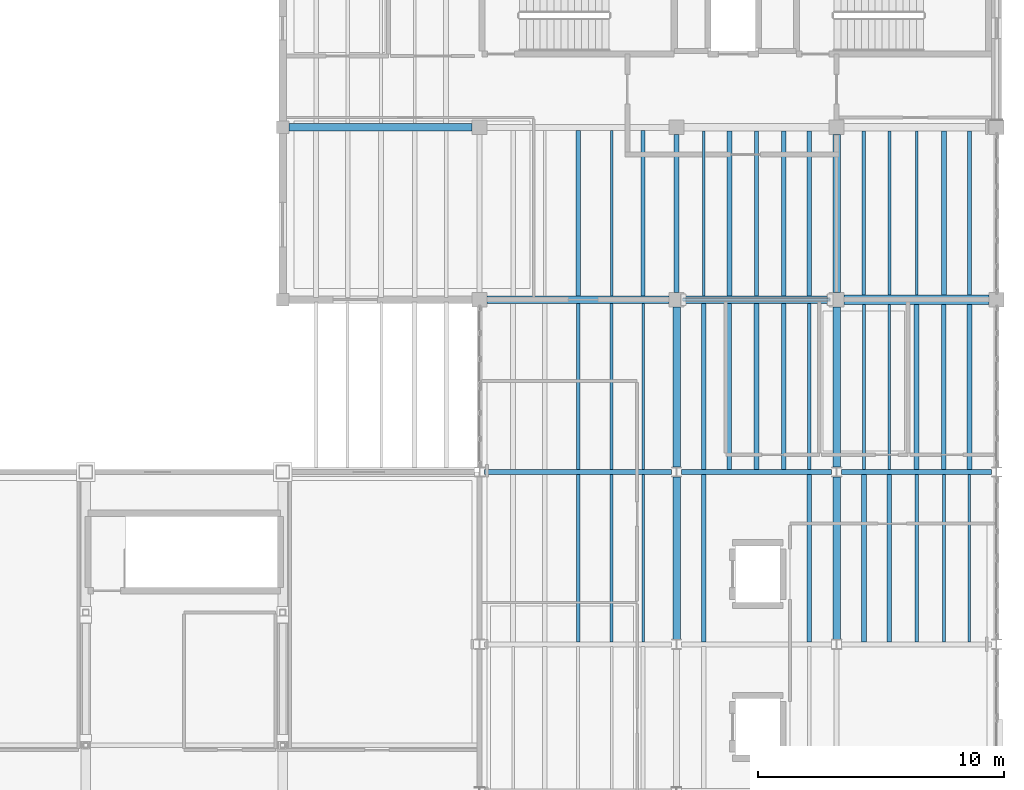
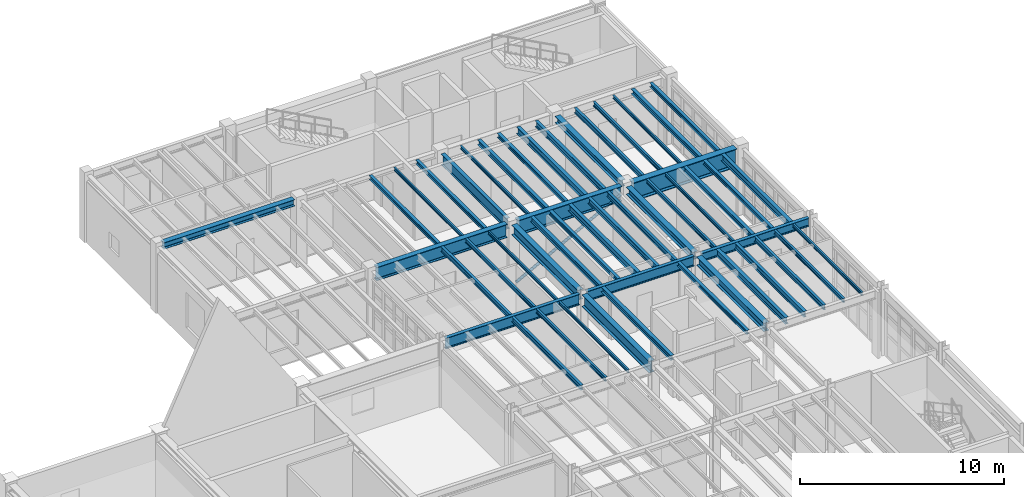
# One storey, part 43 of 78: 49 beams, 1 member.
"""IFC4 building model written with IfcOpenShell, lengths in metres."""

import ifcopenshell
import ifcopenshell.guid

model = None  # the IFC model being written
_history = None  # IfcOwnerHistory: only IFC2X3 demands one
_inside = {}  # id of a spatial element -> (the spatial element, [elements in it])
_under = {}  # id of a project, library or spatial element -> (it, [spatial elements below it])
_declared = {}  # id of a project -> (the project, [libraries it declares])
_typed = {}  # id of a type object -> (the type object, [elements of that type])
_made_of = {}  # id of a material, layer set ... -> (it, [elements and type objects made of it])


def new_model(schema):
    """Start an empty IFC model of exactly this schema.

    Asked for "IFC4X3", IfcOpenShell would pick the latest addendum, in which some entities
    have other attributes; the version numbers below select the first issue.
    IFC2X3 requires an IfcOwnerHistory on every rooted entity: one is made here for all.
    """
    global model, _history
    if schema == "IFC4X3":
        model = ifcopenshell.file(schema_version=(4, 3, 0, 0))
    else:
        model = ifcopenshell.file(schema=schema)
    _inside.clear()
    _under.clear()
    _declared.clear()
    _typed.clear()
    _made_of.clear()
    _history = None
    if model.schema == "IFC2X3":
        org = make("IfcOrganization", Name="unknown")
        user = make(
            "IfcPersonAndOrganization",
            ThePerson=make("IfcPerson", FamilyName="unknown"),
            TheOrganization=org,
        )
        app = make(
            "IfcApplication",
            ApplicationDeveloper=org,
            Version="unknown",
            ApplicationFullName="unknown",
            ApplicationIdentifier="unknown",
        )
        _history = make(
            "IfcOwnerHistory",
            OwningUser=user,
            OwningApplication=app,
            ChangeAction="ADDED",
            CreationDate=0,
        )
    return model


def make(cls, **values):
    """One entity of the class cls with the attributes given. An attribute that is None is left unset."""
    return model.create_entity(
        cls, **{name: value for name, value in values.items() if value is not None}
    )


def rooted(cls, **values):
    """An entity with a GlobalId (a new one), such as an element, a storey or a relation."""
    return make(cls, GlobalId=ifcopenshell.guid.new(), OwnerHistory=_history, **values)


def si_unit(unit_type, name, prefix=None):
    """IfcSIUnit, for example si_unit("LENGTHUNIT", "METRE", prefix="MILLI")."""
    return make("IfcSIUnit", UnitType=unit_type, Prefix=prefix, Name=name)


def assignment(units):
    """IfcUnitAssignment: the units of a project."""
    return None if units is None else make("IfcUnitAssignment", Units=units)


def point(xyz):
    """IfcCartesianPoint."""
    return None if xyz is None else make("IfcCartesianPoint", Coordinates=xyz)


def direction(xyz):
    """IfcDirection."""
    return None if xyz is None else make("IfcDirection", DirectionRatios=xyz)


def frame(location, z_axis=None, x_axis=None):
    """IfcAxis2Placement3D, a coordinate frame: its origin and axes. An axis left out is left unset."""
    return make(
        "IfcAxis2Placement3D",
        Location=point(location),
        Axis=direction(z_axis),
        RefDirection=direction(x_axis),
    )


def frame_2d(location, x_axis=None):
    """IfcAxis2Placement2D, a coordinate frame in the plane: its origin and x axis."""
    return make(
        "IfcAxis2Placement2D", Location=point(location), RefDirection=direction(x_axis)
    )


def origin():
    """The frame at (0, 0, 0) with its axes left unset."""
    return frame((0.0, 0.0, 0.0))


def origin_2d():
    """The frame at (0, 0) in the plane with its x axis left unset."""
    return frame_2d((0.0, 0.0))


def place(relative_to, where):
    """IfcLocalPlacement: puts the frame where relative to a parent placement (None: the world)."""
    return make(
        "IfcLocalPlacement", PlacementRelTo=relative_to, RelativePlacement=where
    )


def context(
    kind, dimensions, precision=None, world=None, true_north=None, identifier=None
):
    """IfcGeometricRepresentationContext, for example the 3D "Model" context."""
    return make(
        "IfcGeometricRepresentationContext",
        ContextIdentifier=identifier,
        ContextType=kind,
        CoordinateSpaceDimension=dimensions,
        Precision=precision,
        WorldCoordinateSystem=world,
        TrueNorth=true_north,
    )


def subcontext(parent, identifier, kind, view, scale=None):
    """IfcGeometricRepresentationSubContext, for example "Body" below "Model"."""
    return make(
        "IfcGeometricRepresentationSubContext",
        ContextIdentifier=identifier,
        ContextType=kind,
        ParentContext=parent,
        TargetScale=scale,
        TargetView=view,
    )


def project(units=None, contexts=None):
    """IfcProject with its units and contexts."""
    return rooted(
        "IfcProject",
        Name="project",
        RepresentationContexts=contexts,
        UnitsInContext=assignment(units),
    )


def spatial(cls, under=None, at=None, **own):
    """A site, building, storey or space (cls), placed at a placement, below another one or the project."""
    s = rooted(cls, ObjectPlacement=at, **own)
    if under is not None:
        _under.setdefault(under.id(), (under, []))[1].append(s)
    return s


def profile(cls, at=None, kind="AREA", **sizes):
    """A parametric profile (cls). Its sizes go by their IFC names, for example OverallWidth=200.0."""
    return make(cls, ProfileType=kind, Position=at, **sizes)


def hollow_circle(**sizes):
    """IfcCircleHollowProfileDef."""
    return profile("IfcCircleHollowProfileDef", **sizes)


def i_section(**sizes):
    """IfcIShapeProfileDef."""
    return profile("IfcIShapeProfileDef", **sizes)


def extrude(swept, where, along, depth):
    """IfcExtrudedAreaSolid: the profile swept, set in the frame where, extruded along a direction by depth."""
    return make(
        "IfcExtrudedAreaSolid",
        SweptArea=swept,
        Position=where,
        ExtrudedDirection=direction(along),
        Depth=depth,
    )


def shape(context_of_items, identifier, shape_type, items):
    """IfcShapeRepresentation: the items that make up one representation, for example the "Body"."""
    return make(
        "IfcShapeRepresentation",
        ContextOfItems=context_of_items,
        RepresentationIdentifier=identifier,
        RepresentationType=shape_type,
        Items=items,
    )


def material(Name=None, Category=None):
    """IfcMaterial."""
    return make("IfcMaterial", Name=Name, Category=Category)


def material_profile(
    of_material, cross_section, Name=None, Category=None, Priority=None
):
    """IfcMaterialProfile: a cross section and its material."""
    return make(
        "IfcMaterialProfile",
        Name=Name,
        Material=of_material,
        Profile=cross_section,
        Priority=Priority,
        Category=Category,
    )


def profile_set(profiles, Name=None, composite=None):
    """IfcMaterialProfileSet."""
    return make(
        "IfcMaterialProfileSet",
        Name=Name,
        MaterialProfiles=profiles,
        CompositeProfile=composite,
    )


def made_of(thing, what):
    """Note that an element or type object is made of a material, layer set ...; save() writes the relation."""
    if what is not None:
        _made_of.setdefault(what.id(), (what, []))[1].append(thing)
    return thing


def type_object(cls, material=None, **own):
    """A type object (cls), such as IfcWallType, which elements share."""
    return made_of(rooted(cls, **own), material)


def element(
    cls,
    number,
    at=None,
    inside=None,
    cuts=None,
    type_object=None,
    material=None,
    context=None,
    identifier="Body",
    shape_type=None,
    held_by="IfcProductDefinitionShape",
    body=None,
    shapes=None,
    **own,
):
    """One element of the class cls, such as IfcWall. Its Tag is "e" and its number.

    at: its placement. inside: the storey or other place that contains it. cuts: it is an
    opening in that element (IfcRelVoidsElement). A single representation is given by context,
    identifier, shape_type and body (its items); several are given by shapes. held_by: the class
    of the entity that holds the representations. save() writes the other relations.
    """
    e = rooted(cls, Tag="e%d" % number, ObjectPlacement=at, **own)
    if body is not None:
        shapes = [shape(context, identifier, shape_type, body)]
    if shapes is not None:
        e.Representation = make(held_by, Representations=shapes)
    if inside is not None:
        _inside.setdefault(inside.id(), (inside, []))[1].append(e)
    if cuts is not None:
        rooted(
            "IfcRelVoidsElement", RelatingBuildingElement=cuts, RelatedOpeningElement=e
        )
    if type_object is not None:
        _typed.setdefault(type_object.id(), (type_object, []))[1].append(e)
    return made_of(e, material)


def aggregate(whole, parts):
    """IfcRelAggregates: a whole, such as a stair, and the parts it consists of."""
    return rooted("IfcRelAggregates", RelatingObject=whole, RelatedObjects=parts)


def save(model, path):
    """Write the relations noted so far, then the file.

    IfcRelAggregates (storeys below a building ...), IfcRelContainedInSpatialStructure (elements
    in a storey), IfcRelDefinesByType, IfcRelAssociatesMaterial and IfcRelDeclares: one each for
    every whole, place, type object, material and project.
    """
    for whole, parts in _under.values():
        aggregate(whole, parts)
    for where, things in _inside.values():
        rooted(
            "IfcRelContainedInSpatialStructure",
            RelatedElements=things,
            RelatingStructure=where,
        )
    for kind, things in _typed.values():
        rooted("IfcRelDefinesByType", RelatedObjects=things, RelatingType=kind)
    for what, things in _made_of.values():
        rooted("IfcRelAssociatesMaterial", RelatedObjects=things, RelatingMaterial=what)
    for by, libraries in _declared.values():
        rooted("IfcRelDeclares", RelatingContext=by, RelatedDefinitions=libraries)
    model.write(path)


model = new_model("IFC4")

# Units and contexts
model_context = context("Model", 3, precision=1e-05, world=origin(), true_north=direction((0.0, 1.0)))
body_context = subcontext(model_context, "Body", "Model", "MODEL_VIEW")
ifc_project = project(units=[si_unit("LENGTHUNIT", "METRE"), si_unit("AREAUNIT", "SQUARE_METRE"), si_unit("VOLUMEUNIT", "CUBIC_METRE"), si_unit("PLANEANGLEUNIT", "RADIAN"), si_unit("MASSUNIT", "GRAM", prefix="KILO"), si_unit("THERMODYNAMICTEMPERATUREUNIT", "KELVIN"), si_unit("POWERUNIT", "WATT")], contexts=[model_context])

# Site, building, storey
site_placement = place(None, origin())
site = spatial("IfcSite", under=ifc_project, at=site_placement, CompositionType="ELEMENT")
building_placement = place(site_placement, origin())
building = spatial("IfcBuilding", under=site, at=building_placement, Name="Zhenchuan Central Fire Station", CompositionType="ELEMENT")
storey_placement = place(building_placement, frame((0.0, 0.0, 5.85009765625)))
storey = spatial("IfcBuildingStorey", under=building, at=storey_placement, Name="L02", CompositionType="ELEMENT", Elevation=5.85009765625)

# Beams
ifc_material = material(Name="Steel Q355B", Category="steel")
ifc_material_profile_1 = material_profile(ifc_material, i_section(OverallWidth=0.300048828125, OverallDepth=0.389892578125, WebThickness=0.010009765625, FlangeThickness=0.01611328125, FilletRadius=0.02001953125, at=origin_2d()), Name="HM 390x300")
ifc_profile_set_1 = profile_set([ifc_material_profile_1], Name="Steel Q355B")
beam_type_1 = type_object("IfcBeamType", Name="BM-HM390-INT", PredefinedType="BEAM", material=ifc_profile_set_1)
beam_1_placement = place(storey_placement, frame((132.25, 49.5, 3.804931640625), z_axis=(1.0, 0.0, 0.0), x_axis=(0.0, 1.0, 0.0)))
element("IfcBeam", 1, at=beam_1_placement, inside=storey, type_object=beam_type_1, Name="L03 Girder EW 0260", PredefinedType="BEAM", context=body_context, shape_type="SweptSolid", body=[
    extrude(i_section(OverallWidth=0.300048828125, OverallDepth=0.389892578125, WebThickness=0.010009765625, FlangeThickness=0.01611328125, FilletRadius=0.02001953125, at=origin_2d()), origin(), (0.0, 0.0, 1.0), 7.449951171875),
])
beam_2_placement = place(storey_placement, frame((154.5, 42.800048828125, 3.764892578125), z_axis=(0.0, 1.0, 0.0), x_axis=(-1.0, 0.0, 0.0)))
element("IfcBeam", 2, at=beam_2_placement, inside=storey, type_object=beam_type_1, Name="L03 Girder NS 0338", PredefinedType="BEAM", context=body_context, shape_type="SweptSolid", body=[
    extrude(i_section(OverallWidth=0.300048828125, OverallDepth=0.389892578125, WebThickness=0.010009765625, FlangeThickness=0.01611328125, FilletRadius=0.02001953125, at=origin_2d()), origin(), (0.0, 0.0, 1.0), 6.39990234375),
])
ifc_material_profile_2 = material_profile(ifc_material, i_section(OverallWidth=0.300048828125, OverallDepth=0.43994140625, WebThickness=0.010986328125, FlangeThickness=0.01806640625, FilletRadius=0.02197265625, at=origin_2d()), Name="HM 440x300")
ifc_profile_set_2 = profile_set([ifc_material_profile_2], Name="Steel Q355B")
beam_type_2 = type_object("IfcBeamType", Name="BM-HM440-INT", PredefinedType="BEAM", material=ifc_profile_set_2)
beam_3_placement = place(storey_placement, frame((154.5, 35.699951171875, 3.739990234375), z_axis=(0.0, 1.0, 0.0), x_axis=(-1.0, 0.0, 0.0)))
element("IfcBeam", 3, at=beam_3_placement, inside=storey, type_object=beam_type_2, Name="L03 Girder NS 0337", PredefinedType="BEAM", context=body_context, shape_type="SweptSolid", body=[
    extrude(i_section(OverallWidth=0.300048828125, OverallDepth=0.43994140625, WebThickness=0.010986328125, FlangeThickness=0.01806640625, FilletRadius=0.02197265625, at=origin_2d()), origin(), (0.0, 0.0, 1.0), 6.5),
])
ifc_material_profile_3 = material_profile(ifc_material, i_section(OverallWidth=0.300048828125, OverallDepth=0.5, WebThickness=0.010986328125, FlangeThickness=0.01806640625, FilletRadius=0.02197265625, at=origin_2d()), Name="HM 500x300")
ifc_profile_set_3 = profile_set([ifc_material_profile_3], Name="Steel Q355B")
beam_type_3 = type_object("IfcBeamType", Name="BM-HM500-INT", PredefinedType="BEAM", material=ifc_profile_set_3)
beam_4_placement = place(storey_placement, frame((154.5, 28.699951171875, 3.7099609375), z_axis=(0.0, 1.0, 0.0), x_axis=(-1.0, 0.0, 0.0)))
element("IfcBeam", 4, at=beam_4_placement, inside=storey, type_object=beam_type_3, Name="L03 Girder NS 0336", PredefinedType="BEAM", context=body_context, shape_type="SweptSolid", body=[
    extrude(i_section(OverallWidth=0.300048828125, OverallDepth=0.5, WebThickness=0.010986328125, FlangeThickness=0.01806640625, FilletRadius=0.02197265625, at=origin_2d()), origin(), (0.0, 0.0, 1.0), 6.60009765625),
])
ifc_material_profile_4 = material_profile(ifc_material, i_section(OverallWidth=0.300048828125, OverallDepth=0.587890625, WebThickness=0.011962890625, FlangeThickness=0.02001953125, FilletRadius=0.02392578125, at=origin_2d()), Name="HM 588x300")
ifc_profile_set_4 = profile_set([ifc_material_profile_4], Name="Steel Q355B")
beam_type_4 = type_object("IfcBeamType", Name="BM-HM588", PredefinedType="BEAM", material=ifc_profile_set_4)
beam_5_placement = place(storey_placement, frame((148.0, 35.699951171875, 3.666015625), z_axis=(0.0, 1.0, 0.0), x_axis=(-1.0, 0.0, 0.0)))
element("IfcBeam", 5, at=beam_5_placement, inside=storey, type_object=beam_type_4, Name="L03 Girder NS 0330", PredefinedType="BEAM", context=body_context, shape_type="SweptSolid", body=[
    extrude(i_section(OverallWidth=0.300048828125, OverallDepth=0.587890625, WebThickness=0.011962890625, FlangeThickness=0.02001953125, FilletRadius=0.02392578125, at=origin_2d()), origin(), (0.0, 0.0, 1.0), 6.5),
])
ifc_material_profile_5 = material_profile(ifc_material, i_section(OverallWidth=0.199951171875, OverallDepth=0.60009765625, WebThickness=0.010986328125, FlangeThickness=0.01708984375, FilletRadius=0.02197265625, at=origin_2d()), Name="HN 600x200")
ifc_profile_set_5 = profile_set([ifc_material_profile_5], Name="Steel Q355B")
beam_type_5 = type_object("IfcBeamType", Name="BM-HN600-INT", PredefinedType="BEAM", material=ifc_profile_set_5)
beam_6_placement = place(storey_placement, frame((148.199951171875, 35.5, 3.659912109375), z_axis=(1.0, 0.0, 0.0), x_axis=(0.0, 1.0, 0.0)))
element("IfcBeam", 6, at=beam_6_placement, inside=storey, type_object=beam_type_5, Name="L03 Girder EW 0240", PredefinedType="BEAM", context=body_context, shape_type="SweptSolid", body=[
    extrude(i_section(OverallWidth=0.199951171875, OverallDepth=0.60009765625, WebThickness=0.010986328125, FlangeThickness=0.01708984375, FilletRadius=0.02197265625, at=origin_2d()), origin(), (0.0, 0.0, 1.0), 6.10009765625),
])
ifc_material_profile_6 = material_profile(ifc_material, i_section(OverallWidth=0.199951171875, OverallDepth=0.64990234375, WebThickness=0.011962890625, FlangeThickness=0.02001953125, FilletRadius=0.02197265625, at=origin_2d()), Name="HN 650x200")
ifc_profile_set_6 = profile_set([ifc_material_profile_6], Name="Steel Q355B")
beam_type_6 = type_object("IfcBeamType", Name="BM-HN650", PredefinedType="BEAM", material=ifc_profile_set_6)
beam_7_placement = place(storey_placement, frame((140.199951171875, 35.5, 3.635009765625), z_axis=(1.0, 0.0, 0.0), x_axis=(0.0, 1.0, 0.0)))
element("IfcBeam", 7, at=beam_7_placement, inside=storey, type_object=beam_type_6, Name="L03 Girder EW 0239", PredefinedType="BEAM", context=body_context, shape_type="SweptSolid", body=[
    extrude(i_section(OverallWidth=0.199951171875, OverallDepth=0.64990234375, WebThickness=0.011962890625, FlangeThickness=0.02001953125, FilletRadius=0.02197265625, at=origin_2d()), origin(), (0.0, 0.0, 1.0), 7.60009765625),
])
beam_8_placement = place(storey_placement, frame((148.0, 42.800048828125, 3.635009765625), z_axis=(0.0, 1.0, 0.0), x_axis=(-1.0, 0.0, 0.0)))
element("IfcBeam", 8, at=beam_8_placement, inside=storey, type_object=beam_type_6, Name="L03 Girder NS 0331", PredefinedType="BEAM", context=body_context, shape_type="SweptSolid", body=[
    extrude(i_section(OverallWidth=0.199951171875, OverallDepth=0.64990234375, WebThickness=0.011962890625, FlangeThickness=0.02001953125, FilletRadius=0.02197265625, at=origin_2d()), origin(), (0.0, 0.0, 1.0), 6.39990234375),
])
ifc_material_profile_7 = material_profile(ifc_material, i_section(OverallWidth=0.300048828125, OverallDepth=0.699951171875, WebThickness=0.012939453125, FlangeThickness=0.02392578125, FilletRadius=0.02392578125, at=origin_2d()), Name="HN 700x300")
ifc_profile_set_7 = profile_set([ifc_material_profile_7], Name="Steel Q355B")
beam_type_7 = type_object("IfcBeamType", Name="BM-HN700", PredefinedType="BEAM", material=ifc_profile_set_7)
beam_9_placement = place(storey_placement, frame((148.0, 28.699951171875, 3.60986328125), z_axis=(0.0, 1.0, 0.0), x_axis=(-1.0, 0.0, 0.0)))
element("IfcBeam", 9, at=beam_9_placement, inside=storey, type_object=beam_type_7, Name="L03 Girder NS 0329", PredefinedType="BEAM", context=body_context, shape_type="SweptSolid", body=[
    extrude(i_section(OverallWidth=0.300048828125, OverallDepth=0.699951171875, WebThickness=0.012939453125, FlangeThickness=0.02392578125, FilletRadius=0.02392578125, at=origin_2d()), origin(), (0.0, 0.0, 1.0), 6.60009765625),
])
ifc_material_profile_8 = material_profile(ifc_material, i_section(OverallWidth=0.300048828125, OverallDepth=0.800048828125, WebThickness=0.013916015625, FlangeThickness=0.02587890625, FilletRadius=0.02587890625, at=origin_2d()), Name="HN 800x300")
ifc_profile_set_8 = profile_set([ifc_material_profile_8], Name="Steel Q355B")
beam_type_8 = type_object("IfcBeamType", Name="BM-HN800", PredefinedType="BEAM", material=ifc_profile_set_8)
beam_10_placement = place(storey_placement, frame((140.300048828125, 42.5, 3.559814453125), z_axis=(1.0, 0.0, 0.0), x_axis=(0.0, 1.0, 0.0)))
element("IfcBeam", 10, at=beam_10_placement, inside=storey, type_object=beam_type_8, Name="L03 Girder EW 0250", PredefinedType="BEAM", context=body_context, shape_type="SweptSolid", body=[
    extrude(i_section(OverallWidth=0.300048828125, OverallDepth=0.800048828125, WebThickness=0.013916015625, FlangeThickness=0.02587890625, FilletRadius=0.02587890625, at=origin_2d()), origin(), (0.0, 0.0, 1.0), 7.39990234375),
])
ifc_material_profile_9 = material_profile(ifc_material, i_section(OverallWidth=0.300048828125, OverallDepth=0.89990234375, WebThickness=0.01611328125, FlangeThickness=0.028076171875, FilletRadius=0.02587890625, at=origin_2d()), Name="HN 900x300")
ifc_profile_set_9 = profile_set([ifc_material_profile_9], Name="Steel Q355B")
beam_type_9 = type_object("IfcBeamType", Name="BM-HN900", PredefinedType="BEAM", material=ifc_profile_set_9)
beam_11_placement = place(storey_placement, frame((148.300048828125, 42.5, 3.510009765625), z_axis=(1.0, 0.0, 0.0), x_axis=(0.0, 1.0, 0.0)))
element("IfcBeam", 11, at=beam_11_placement, inside=storey, type_object=beam_type_9, Name="L03 Girder EW 0251", PredefinedType="BEAM", context=body_context, shape_type="SweptSolid", body=[
    extrude(i_section(OverallWidth=0.300048828125, OverallDepth=0.89990234375, WebThickness=0.01611328125, FlangeThickness=0.028076171875, FilletRadius=0.02587890625, at=origin_2d()), origin(), (0.0, 0.0, 1.0), 5.89990234375),
])
ifc_material_profile_10 = material_profile(ifc_material, i_section(OverallWidth=0.3798828125, OverallDepth=1.10009765625, WebThickness=0.02001953125, FlangeThickness=0.035888671875, FilletRadius=0.02392578125, at=origin_2d()), Name="PG 1100x380")
ifc_profile_set_10 = profile_set([ifc_material_profile_10], Name="Steel Q355B")
beam_type_10 = type_object("IfcBeamType", Name="BM-PG1100", PredefinedType="BEAM", material=ifc_profile_set_10)
beam_12_placement = place(storey_placement, frame((154.800048828125, 42.5, 3.409912109375), z_axis=(1.0, 0.0, 0.0), x_axis=(0.0, 1.0, 0.0)))
element("IfcBeam", 12, at=beam_12_placement, inside=storey, type_object=beam_type_10, Name="L03 Girder EW 0252", PredefinedType="BEAM", context=body_context, shape_type="SweptSolid", body=[
    extrude(i_section(OverallWidth=0.3798828125, OverallDepth=1.10009765625, WebThickness=0.02001953125, FlangeThickness=0.035888671875, FilletRadius=0.02392578125, at=origin_2d()), origin(), (0.0, 0.0, 1.0), 5.89990234375),
])
ifc_material_profile_11 = material_profile(ifc_material, i_section(OverallWidth=0.175048828125, OverallDepth=0.243896484375, WebThickness=0.007080078125, FlangeThickness=0.010986328125, FilletRadius=0.012939453125, at=origin_2d()), Name="HM 244x175")
ifc_profile_set_11 = profile_set([ifc_material_profile_11], Name="Steel Q355B")
beam_type_11 = type_object("IfcBeamType", Name="JS-HM244", PredefinedType="JOIST", material=ifc_profile_set_11)
beam_13_placement = place(storey_placement, frame((153.39501953125, 28.596923828125, 3.837890625), z_axis=(0.0, 1.0, 0.0), x_axis=(-1.0, 0.0, 0.0)))
element("IfcBeam", 13, at=beam_13_placement, inside=storey, type_object=beam_type_11, Name="L03 Secondary Joist 0448", PredefinedType="JOIST", context=body_context, shape_type="SweptSolid", body=[
    extrude(i_section(OverallWidth=0.175048828125, OverallDepth=0.243896484375, WebThickness=0.007080078125, FlangeThickness=0.010986328125, FilletRadius=0.012939453125, at=origin_2d()), origin(), (0.0, 0.0, 1.0), 6.80615234375),
])
beam_14_placement = place(storey_placement, frame((150.14501953125, 35.596923828125, 3.837890625), z_axis=(0.0, 1.0, 0.0), x_axis=(-1.0, 0.0, 0.0)))
element("IfcBeam", 14, at=beam_14_placement, inside=storey, type_object=beam_type_11, Name="L03 Secondary Joist 0483", PredefinedType="JOIST", context=body_context, shape_type="SweptSolid", body=[
    extrude(i_section(OverallWidth=0.175048828125, OverallDepth=0.243896484375, WebThickness=0.007080078125, FlangeThickness=0.010986328125, FilletRadius=0.012939453125, at=origin_2d()), origin(), (0.0, 0.0, 1.0), 6.756103515625),
])
beam_15_placement = place(storey_placement, frame((158.85498046875, 35.596923828125, 3.837890625), z_axis=(0.0, 1.0, 0.0), x_axis=(-1.0, 0.0, 0.0)))
element("IfcBeam", 15, at=beam_15_placement, inside=storey, type_object=beam_type_11, Name="L03 Secondary Joist 0490", PredefinedType="JOIST", context=body_context, shape_type="SweptSolid", body=[
    extrude(i_section(OverallWidth=0.175048828125, OverallDepth=0.243896484375, WebThickness=0.007080078125, FlangeThickness=0.010986328125, FilletRadius=0.012939453125, at=origin_2d()), origin(), (0.0, 0.0, 1.0), 6.716064453125),
])
for number, where, z_axis, x_axis, name in (
    (16, (144.0, 42.64697265625, 3.837890625), (0.0, 1.0, 0.0), (-1.0, 0.0, 0.0), "L03 Secondary Joist 0534"),
    (17, (146.639892578125, 42.64697265625, 3.837890625), (0.0, 1.0, 0.0), (-1.0, 0.0, 0.0), "L03 Secondary Joist 0536"),
):
    element("IfcBeam", number, at=place(storey_placement, frame(where, z_axis=z_axis, x_axis=x_axis)), inside=storey, type_object=beam_type_11, Name=name, PredefinedType="JOIST", context=body_context, shape_type="SweptSolid", body=[
        extrude(i_section(OverallWidth=0.175048828125, OverallDepth=0.243896484375, WebThickness=0.007080078125, FlangeThickness=0.010986328125, FilletRadius=0.012939453125, at=origin_2d()), origin(), (0.0, 0.0, 1.0), 6.73095703125),
    ])
beam_16_placement = place(storey_placement, frame((151.25, 42.64697265625, 3.837890625), z_axis=(0.0, 1.0, 0.0), x_axis=(-1.0, 0.0, 0.0)))
element("IfcBeam", 18, at=beam_16_placement, inside=storey, type_object=beam_type_11, Name="L03 Secondary Joist 0539", PredefinedType="JOIST", context=body_context, shape_type="SweptSolid", body=[
    extrude(i_section(OverallWidth=0.175048828125, OverallDepth=0.243896484375, WebThickness=0.007080078125, FlangeThickness=0.010986328125, FilletRadius=0.012939453125, at=origin_2d()), origin(), (0.0, 0.0, 1.0), 6.7060546875),
])
beam_17_placement = place(storey_placement, frame((159.89501953125, 42.68701171875, 3.837890625), z_axis=(0.0, 1.0, 0.0), x_axis=(-1.0, 0.0, 0.0)))
element("IfcBeam", 19, at=beam_17_placement, inside=storey, type_object=beam_type_11, Name="L03 Secondary Joist 0546", PredefinedType="JOIST", context=body_context, shape_type="SweptSolid", body=[
    extrude(i_section(OverallWidth=0.175048828125, OverallDepth=0.243896484375, WebThickness=0.007080078125, FlangeThickness=0.010986328125, FilletRadius=0.012939453125, at=origin_2d()), origin(), (0.0, 0.0, 1.0), 6.666015625),
])
ifc_material_profile_12 = material_profile(ifc_material, i_section(OverallWidth=0.199951171875, OverallDepth=0.2939453125, WebThickness=0.008056640625, FlangeThickness=0.011962890625, FilletRadius=0.01611328125, at=origin_2d()), Name="HM 294x200")
ifc_profile_set_12 = profile_set([ifc_material_profile_12], Name="Steel Q355B")
beam_type_12 = type_object("IfcBeamType", Name="JS-HM294", PredefinedType="JOIST", material=ifc_profile_set_12)
beam_18_placement = place(storey_placement, frame((149.10498046875, 28.596923828125, 3.81298828125), z_axis=(0.0, 1.0, 0.0), x_axis=(-1.0, 0.0, 0.0)))
element("IfcBeam", 20, at=beam_18_placement, inside=storey, type_object=beam_type_12, Name="L03 Secondary Joist 0447", PredefinedType="JOIST", context=body_context, shape_type="SweptSolid", body=[
    extrude(i_section(OverallWidth=0.199951171875, OverallDepth=0.2939453125, WebThickness=0.008056640625, FlangeThickness=0.011962890625, FilletRadius=0.01611328125, at=origin_2d()), origin(), (0.0, 0.0, 1.0), 6.80615234375),
])
beam_19_placement = place(storey_placement, frame((149.10498046875, 35.596923828125, 3.81298828125), z_axis=(0.0, 1.0, 0.0), x_axis=(-1.0, 0.0, 0.0)))
element("IfcBeam", 21, at=beam_19_placement, inside=storey, type_object=beam_type_12, Name="L03 Secondary Joist 0482", PredefinedType="JOIST", context=body_context, shape_type="SweptSolid", body=[
    extrude(i_section(OverallWidth=0.199951171875, OverallDepth=0.2939453125, WebThickness=0.008056640625, FlangeThickness=0.011962890625, FilletRadius=0.01611328125, at=origin_2d()), origin(), (0.0, 0.0, 1.0), 6.756103515625),
])
beam_20_placement = place(storey_placement, frame((157.75, 35.596923828125, 3.81298828125), z_axis=(0.0, 1.0, 0.0), x_axis=(-1.0, 0.0, 0.0)))
element("IfcBeam", 22, at=beam_20_placement, inside=storey, type_object=beam_type_12, Name="L03 Secondary Joist 0489", PredefinedType="JOIST", context=body_context, shape_type="SweptSolid", body=[
    extrude(i_section(OverallWidth=0.199951171875, OverallDepth=0.2939453125, WebThickness=0.008056640625, FlangeThickness=0.011962890625, FilletRadius=0.01611328125, at=origin_2d()), origin(), (0.0, 0.0, 1.0), 6.716064453125),
])
beam_21_placement = place(storey_placement, frame((150.14501953125, 42.64697265625, 3.81298828125), z_axis=(0.0, 1.0, 0.0), x_axis=(-1.0, 0.0, 0.0)))
element("IfcBeam", 23, at=beam_21_placement, inside=storey, type_object=beam_type_12, Name="L03 Secondary Joist 0538", PredefinedType="JOIST", context=body_context, shape_type="SweptSolid", body=[
    extrude(i_section(OverallWidth=0.199951171875, OverallDepth=0.2939453125, WebThickness=0.008056640625, FlangeThickness=0.011962890625, FilletRadius=0.01611328125, at=origin_2d()), origin(), (0.0, 0.0, 1.0), 6.7060546875),
])
beam_22_placement = place(storey_placement, frame((158.85498046875, 42.68701171875, 3.81298828125), z_axis=(0.0, 1.0, 0.0), x_axis=(-1.0, 0.0, 0.0)))
element("IfcBeam", 24, at=beam_22_placement, inside=storey, type_object=beam_type_12, Name="L03 Secondary Joist 0545", PredefinedType="JOIST", context=body_context, shape_type="SweptSolid", body=[
    extrude(i_section(OverallWidth=0.199951171875, OverallDepth=0.2939453125, WebThickness=0.008056640625, FlangeThickness=0.011962890625, FilletRadius=0.01611328125, at=origin_2d()), origin(), (0.0, 0.0, 1.0), 6.666015625),
])
ifc_material_profile_13 = material_profile(ifc_material, i_section(OverallWidth=0.10009765625, OverallDepth=0.199951171875, WebThickness=0.005615234375, FlangeThickness=0.008056640625, FilletRadius=0.010986328125, at=origin_2d()), Name="HN 200x100")
ifc_profile_set_13 = profile_set([ifc_material_profile_13], Name="Steel Q355B")
beam_type_13 = type_object("IfcBeamType", Name="JS-HN200", PredefinedType="JOIST", material=ifc_profile_set_13)
for number, where, z_axis, x_axis, name in (
    (25, (146.639892578125, 28.596923828125, 3.85986328125), (0.0, 1.0, 0.0), (-1.0, 0.0, 0.0), "L03 Secondary Joist 0446"),
    (26, (159.89501953125, 28.596923828125, 3.85986328125), (0.0, 1.0, 0.0), (-1.0, 0.0, 0.0), "L03 Secondary Joist 0453"),
):
    element("IfcBeam", number, at=place(storey_placement, frame(where, z_axis=z_axis, x_axis=x_axis)), inside=storey, type_object=beam_type_13, Name=name, PredefinedType="JOIST", context=body_context, shape_type="SweptSolid", body=[
        extrude(i_section(OverallWidth=0.10009765625, OverallDepth=0.199951171875, WebThickness=0.005615234375, FlangeThickness=0.008056640625, FilletRadius=0.010986328125, at=origin_2d()), origin(), (0.0, 0.0, 1.0), 6.80615234375),
    ])
beam_23_placement = place(storey_placement, frame((146.639892578125, 35.596923828125, 3.85986328125), z_axis=(0.0, 1.0, 0.0), x_axis=(-1.0, 0.0, 0.0)))
element("IfcBeam", 27, at=beam_23_placement, inside=storey, type_object=beam_type_13, Name="L03 Secondary Joist 0481", PredefinedType="JOIST", context=body_context, shape_type="SweptSolid", body=[
    extrude(i_section(OverallWidth=0.10009765625, OverallDepth=0.199951171875, WebThickness=0.005615234375, FlangeThickness=0.008056640625, FilletRadius=0.010986328125, at=origin_2d()), origin(), (0.0, 0.0, 1.0), 6.756103515625),
])
beam_24_placement = place(storey_placement, frame((156.64501953125, 35.596923828125, 3.85986328125), z_axis=(0.0, 1.0, 0.0), x_axis=(-1.0, 0.0, 0.0)))
element("IfcBeam", 28, at=beam_24_placement, inside=storey, type_object=beam_type_13, Name="L03 Secondary Joist 0488", PredefinedType="JOIST", context=body_context, shape_type="SweptSolid", body=[
    extrude(i_section(OverallWidth=0.10009765625, OverallDepth=0.199951171875, WebThickness=0.005615234375, FlangeThickness=0.008056640625, FilletRadius=0.010986328125, at=origin_2d()), origin(), (0.0, 0.0, 1.0), 6.716064453125),
])
beam_25_placement = place(storey_placement, frame((145.360107421875, 42.64697265625, 3.85986328125), z_axis=(0.0, 1.0, 0.0), x_axis=(-1.0, 0.0, 0.0)))
element("IfcBeam", 29, at=beam_25_placement, inside=storey, type_object=beam_type_13, Name="L03 Secondary Joist 0535", PredefinedType="JOIST", context=body_context, shape_type="SweptSolid", body=[
    extrude(i_section(OverallWidth=0.10009765625, OverallDepth=0.199951171875, WebThickness=0.005615234375, FlangeThickness=0.008056640625, FilletRadius=0.010986328125, at=origin_2d()), origin(), (0.0, 0.0, 1.0), 6.73095703125),
])
beam_26_placement = place(storey_placement, frame((149.10498046875, 42.64697265625, 3.85986328125), z_axis=(0.0, 1.0, 0.0), x_axis=(-1.0, 0.0, 0.0)))
element("IfcBeam", 30, at=beam_26_placement, inside=storey, type_object=beam_type_13, Name="L03 Secondary Joist 0537", PredefinedType="JOIST", context=body_context, shape_type="SweptSolid", body=[
    extrude(i_section(OverallWidth=0.10009765625, OverallDepth=0.199951171875, WebThickness=0.005615234375, FlangeThickness=0.008056640625, FilletRadius=0.010986328125, at=origin_2d()), origin(), (0.0, 0.0, 1.0), 6.7060546875),
])
beam_27_placement = place(storey_placement, frame((157.75, 42.68701171875, 3.85986328125), z_axis=(0.0, 1.0, 0.0), x_axis=(-1.0, 0.0, 0.0)))
element("IfcBeam", 31, at=beam_27_placement, inside=storey, type_object=beam_type_13, Name="L03 Secondary Joist 0544", PredefinedType="JOIST", context=body_context, shape_type="SweptSolid", body=[
    extrude(i_section(OverallWidth=0.10009765625, OverallDepth=0.199951171875, WebThickness=0.005615234375, FlangeThickness=0.008056640625, FilletRadius=0.010986328125, at=origin_2d()), origin(), (0.0, 0.0, 1.0), 6.666015625),
])
ifc_material_profile_14 = material_profile(ifc_material, i_section(OverallWidth=0.125, OverallDepth=0.25, WebThickness=0.006103515625, FlangeThickness=0.009033203125, FilletRadius=0.011962890625, at=origin_2d()), Name="HN 250x125")
ifc_profile_set_14 = profile_set([ifc_material_profile_14], Name="Steel Q355B")
beam_type_14 = type_object("IfcBeamType", Name="JS-HN250", PredefinedType="JOIST", material=ifc_profile_set_14)
for number, where, z_axis, x_axis, name in (
    (32, (145.360107421875, 28.596923828125, 3.8349609375), (0.0, 1.0, 0.0), (-1.0, 0.0, 0.0), "L03 Secondary Joist 0445"),
    (33, (158.85498046875, 28.596923828125, 3.8349609375), (0.0, 1.0, 0.0), (-1.0, 0.0, 0.0), "L03 Secondary Joist 0452"),
):
    element("IfcBeam", number, at=place(storey_placement, frame(where, z_axis=z_axis, x_axis=x_axis)), inside=storey, type_object=beam_type_14, Name=name, PredefinedType="JOIST", context=body_context, shape_type="SweptSolid", body=[
        extrude(i_section(OverallWidth=0.125, OverallDepth=0.25, WebThickness=0.006103515625, FlangeThickness=0.009033203125, FilletRadius=0.011962890625, at=origin_2d()), origin(), (0.0, 0.0, 1.0), 6.80615234375),
    ])
beam_28_placement = place(storey_placement, frame((145.360107421875, 35.596923828125, 3.8349609375), z_axis=(0.0, 1.0, 0.0), x_axis=(-1.0, 0.0, 0.0)))
element("IfcBeam", 34, at=beam_28_placement, inside=storey, type_object=beam_type_14, Name="L03 Secondary Joist 0480", PredefinedType="JOIST", context=body_context, shape_type="SweptSolid", body=[
    extrude(i_section(OverallWidth=0.125, OverallDepth=0.25, WebThickness=0.006103515625, FlangeThickness=0.009033203125, FilletRadius=0.011962890625, at=origin_2d()), origin(), (0.0, 0.0, 1.0), 6.756103515625),
])
beam_29_placement = place(storey_placement, frame((155.60498046875, 35.596923828125, 3.8349609375), z_axis=(0.0, 1.0, 0.0), x_axis=(-1.0, 0.0, 0.0)))
element("IfcBeam", 35, at=beam_29_placement, inside=storey, type_object=beam_type_14, Name="L03 Secondary Joist 0487", PredefinedType="JOIST", context=body_context, shape_type="SweptSolid", body=[
    extrude(i_section(OverallWidth=0.125, OverallDepth=0.25, WebThickness=0.006103515625, FlangeThickness=0.009033203125, FilletRadius=0.011962890625, at=origin_2d()), origin(), (0.0, 0.0, 1.0), 6.716064453125),
])
beam_30_placement = place(storey_placement, frame((156.64501953125, 42.68701171875, 3.8349609375), z_axis=(0.0, 1.0, 0.0), x_axis=(-1.0, 0.0, 0.0)))
element("IfcBeam", 36, at=beam_30_placement, inside=storey, type_object=beam_type_14, Name="L03 Secondary Joist 0543", PredefinedType="JOIST", context=body_context, shape_type="SweptSolid", body=[
    extrude(i_section(OverallWidth=0.125, OverallDepth=0.25, WebThickness=0.006103515625, FlangeThickness=0.009033203125, FilletRadius=0.011962890625, at=origin_2d()), origin(), (0.0, 0.0, 1.0), 6.666015625),
])
ifc_material_profile_15 = material_profile(ifc_material, i_section(OverallWidth=0.14990234375, OverallDepth=0.300048828125, WebThickness=0.006591796875, FlangeThickness=0.009033203125, FilletRadius=0.012939453125, at=origin_2d()), Name="HN 300x150")
ifc_profile_set_15 = profile_set([ifc_material_profile_15], Name="Steel Q355B")
beam_type_15 = type_object("IfcBeamType", Name="JS-HN300", PredefinedType="JOIST", material=ifc_profile_set_15)
for number, where, z_axis, x_axis, name in (
    (37, (144.0, 28.596923828125, 3.809814453125), (0.0, 1.0, 0.0), (-1.0, 0.0, 0.0), "L03 Secondary Joist 0444"),
    (38, (157.75, 28.596923828125, 3.809814453125), (0.0, 1.0, 0.0), (-1.0, 0.0, 0.0), "L03 Secondary Joist 0451"),
):
    element("IfcBeam", number, at=place(storey_placement, frame(where, z_axis=z_axis, x_axis=x_axis)), inside=storey, type_object=beam_type_15, Name=name, PredefinedType="JOIST", context=body_context, shape_type="SweptSolid", body=[
        extrude(i_section(OverallWidth=0.14990234375, OverallDepth=0.300048828125, WebThickness=0.006591796875, FlangeThickness=0.009033203125, FilletRadius=0.012939453125, at=origin_2d()), origin(), (0.0, 0.0, 1.0), 6.80615234375),
    ])
for number, where, z_axis, x_axis, name in (
    (39, (144.0, 35.596923828125, 3.809814453125), (0.0, 1.0, 0.0), (-1.0, 0.0, 0.0), "L03 Secondary Joist 0479"),
    (40, (153.39501953125, 35.596923828125, 3.809814453125), (0.0, 1.0, 0.0), (-1.0, 0.0, 0.0), "L03 Secondary Joist 0486"),
):
    element("IfcBeam", number, at=place(storey_placement, frame(where, z_axis=z_axis, x_axis=x_axis)), inside=storey, type_object=beam_type_15, Name=name, PredefinedType="JOIST", context=body_context, shape_type="SweptSolid", body=[
        extrude(i_section(OverallWidth=0.14990234375, OverallDepth=0.300048828125, WebThickness=0.006591796875, FlangeThickness=0.009033203125, FilletRadius=0.012939453125, at=origin_2d()), origin(), (0.0, 0.0, 1.0), 6.756103515625),
    ])
beam_31_placement = place(storey_placement, frame((155.60498046875, 42.68701171875, 3.809814453125), z_axis=(0.0, 1.0, 0.0), x_axis=(-1.0, 0.0, 0.0)))
element("IfcBeam", 41, at=beam_31_placement, inside=storey, type_object=beam_type_15, Name="L03 Secondary Joist 0542", PredefinedType="JOIST", context=body_context, shape_type="SweptSolid", body=[
    extrude(i_section(OverallWidth=0.14990234375, OverallDepth=0.300048828125, WebThickness=0.006591796875, FlangeThickness=0.009033203125, FilletRadius=0.012939453125, at=origin_2d()), origin(), (0.0, 0.0, 1.0), 6.666015625),
])
ifc_material_profile_16 = material_profile(ifc_material, i_section(OverallWidth=0.175048828125, OverallDepth=0.35009765625, WebThickness=0.007080078125, FlangeThickness=0.010986328125, FilletRadius=0.013916015625, at=origin_2d()), Name="HN 350x175")
ifc_profile_set_16 = profile_set([ifc_material_profile_16], Name="Steel Q355B")
beam_type_16 = type_object("IfcBeamType", Name="JS-HN350", PredefinedType="JOIST", material=ifc_profile_set_16)
beam_32_placement = place(storey_placement, frame((156.64501953125, 28.596923828125, 3.784912109375), z_axis=(0.0, 1.0, 0.0), x_axis=(-1.0, 0.0, 0.0)))
element("IfcBeam", 42, at=beam_32_placement, inside=storey, type_object=beam_type_16, Name="L03 Secondary Joist 0450", PredefinedType="JOIST", context=body_context, shape_type="SweptSolid", body=[
    extrude(i_section(OverallWidth=0.175048828125, OverallDepth=0.35009765625, WebThickness=0.007080078125, FlangeThickness=0.010986328125, FilletRadius=0.013916015625, at=origin_2d()), origin(), (0.0, 0.0, 1.0), 6.80615234375),
])
beam_33_placement = place(storey_placement, frame((152.35498046875, 35.596923828125, 3.784912109375), z_axis=(0.0, 1.0, 0.0), x_axis=(-1.0, 0.0, 0.0)))
element("IfcBeam", 43, at=beam_33_placement, inside=storey, type_object=beam_type_16, Name="L03 Secondary Joist 0485", PredefinedType="JOIST", context=body_context, shape_type="SweptSolid", body=[
    extrude(i_section(OverallWidth=0.175048828125, OverallDepth=0.35009765625, WebThickness=0.007080078125, FlangeThickness=0.010986328125, FilletRadius=0.013916015625, at=origin_2d()), origin(), (0.0, 0.0, 1.0), 6.756103515625),
])
beam_34_placement = place(storey_placement, frame((153.39501953125, 42.64697265625, 3.784912109375), z_axis=(0.0, 1.0, 0.0), x_axis=(-1.0, 0.0, 0.0)))
element("IfcBeam", 44, at=beam_34_placement, inside=storey, type_object=beam_type_16, Name="L03 Secondary Joist 0541", PredefinedType="JOIST", context=body_context, shape_type="SweptSolid", body=[
    extrude(i_section(OverallWidth=0.175048828125, OverallDepth=0.35009765625, WebThickness=0.007080078125, FlangeThickness=0.010986328125, FilletRadius=0.013916015625, at=origin_2d()), origin(), (0.0, 0.0, 1.0), 6.7060546875),
])
ifc_material_profile_17 = material_profile(ifc_material, i_section(OverallWidth=0.199951171875, OverallDepth=0.39990234375, WebThickness=0.008056640625, FlangeThickness=0.012939453125, FilletRadius=0.01611328125, at=origin_2d()), Name="HN 400x200")
ifc_profile_set_17 = profile_set([ifc_material_profile_17], Name="Steel Q355B")
beam_type_17 = type_object("IfcBeamType", Name="JS-HN400", PredefinedType="JOIST", material=ifc_profile_set_17)
beam_35_placement = place(storey_placement, frame((155.60498046875, 28.596923828125, 3.760009765625), z_axis=(0.0, 1.0, 0.0), x_axis=(-1.0, 0.0, 0.0)))
element("IfcBeam", 45, at=beam_35_placement, inside=storey, type_object=beam_type_17, Name="L03 Secondary Joist 0449", PredefinedType="JOIST", context=body_context, shape_type="SweptSolid", body=[
    extrude(i_section(OverallWidth=0.199951171875, OverallDepth=0.39990234375, WebThickness=0.008056640625, FlangeThickness=0.012939453125, FilletRadius=0.01611328125, at=origin_2d()), origin(), (0.0, 0.0, 1.0), 6.80615234375),
])
beam_36_placement = place(storey_placement, frame((151.25, 35.596923828125, 3.760009765625), z_axis=(0.0, 1.0, 0.0), x_axis=(-1.0, 0.0, 0.0)))
element("IfcBeam", 46, at=beam_36_placement, inside=storey, type_object=beam_type_17, Name="L03 Secondary Joist 0484", PredefinedType="JOIST", context=body_context, shape_type="SweptSolid", body=[
    extrude(i_section(OverallWidth=0.199951171875, OverallDepth=0.39990234375, WebThickness=0.008056640625, FlangeThickness=0.012939453125, FilletRadius=0.01611328125, at=origin_2d()), origin(), (0.0, 0.0, 1.0), 6.756103515625),
])
beam_37_placement = place(storey_placement, frame((159.89501953125, 35.596923828125, 3.760009765625), z_axis=(0.0, 1.0, 0.0), x_axis=(-1.0, 0.0, 0.0)))
element("IfcBeam", 47, at=beam_37_placement, inside=storey, type_object=beam_type_17, Name="L03 Secondary Joist 0491", PredefinedType="JOIST", context=body_context, shape_type="SweptSolid", body=[
    extrude(i_section(OverallWidth=0.199951171875, OverallDepth=0.39990234375, WebThickness=0.008056640625, FlangeThickness=0.012939453125, FilletRadius=0.01611328125, at=origin_2d()), origin(), (0.0, 0.0, 1.0), 6.716064453125),
])
beam_38_placement = place(storey_placement, frame((152.35498046875, 42.64697265625, 3.760009765625), z_axis=(0.0, 1.0, 0.0), x_axis=(-1.0, 0.0, 0.0)))
element("IfcBeam", 48, at=beam_38_placement, inside=storey, type_object=beam_type_17, Name="L03 Secondary Joist 0540", PredefinedType="JOIST", context=body_context, shape_type="SweptSolid", body=[
    extrude(i_section(OverallWidth=0.199951171875, OverallDepth=0.39990234375, WebThickness=0.008056640625, FlangeThickness=0.012939453125, FilletRadius=0.01611328125, at=origin_2d()), origin(), (0.0, 0.0, 1.0), 6.7060546875),
])

# Member
ifc_material_profile_18 = material_profile(ifc_material, hollow_circle(Radius=0.084228515625, WallThickness=0.008056640625, at=origin_2d()), Name="CHS 168.3x8")
ifc_profile_set_18 = profile_set([ifc_material_profile_18], Name="Steel Q355B")
member_type = type_object("IfcMemberType", Name="MB-BR-CHS168", PredefinedType="BRACE", material=ifc_profile_set_18)
member_placement = place(storey_placement, frame((148.278076171875, 42.5, 0.199951171875), z_axis=(0.88050709788, 0.0, 0.474032963604), x_axis=(0.0, 1.0, 0.0)))
element("IfcMember", 49, at=member_placement, inside=storey, type_object=member_type, Name="Interior Frame Lateral Brace 07", PredefinedType="BRACE", context=body_context, shape_type="SweptSolid", body=[
    extrude(hollow_circle(Radius=0.084228515625, WallThickness=0.008056640625, at=origin_2d()), origin(), (0.0, 0.0, 1.0), 6.75048828125),
])

# Beam
ifc_material_profile_19 = material_profile(ifc_material, i_section(OverallWidth=0.199951171875, OverallDepth=0.5, WebThickness=0.010009765625, FlangeThickness=0.01611328125, FilletRadius=0.02001953125, at=origin_2d()), Name="HN 500x200")
ifc_profile_set_19 = profile_set([ifc_material_profile_19], Name="Steel Q355B")
beam_type_18 = type_object("IfcBeamType", Name="SP-HN500-INT", PredefinedType="SPANDREL", material=ifc_profile_set_19)
beam_39_placement = place(storey_placement, frame((154.699951171875, 35.5, 3.7099609375), z_axis=(1.0, 0.0, 0.0), x_axis=(0.0, 1.0, 0.0)))
element("IfcBeam", 50, at=beam_39_placement, inside=storey, type_object=beam_type_18, Name="L03 Girder EW 0241", PredefinedType="SPANDREL", context=body_context, shape_type="SweptSolid", body=[
    extrude(i_section(OverallWidth=0.199951171875, OverallDepth=0.5, WebThickness=0.010009765625, FlangeThickness=0.01611328125, FilletRadius=0.02001953125, at=origin_2d()), origin(), (0.0, 0.0, 1.0), 6.10009765625),
])

save(model, "model.ifc")
